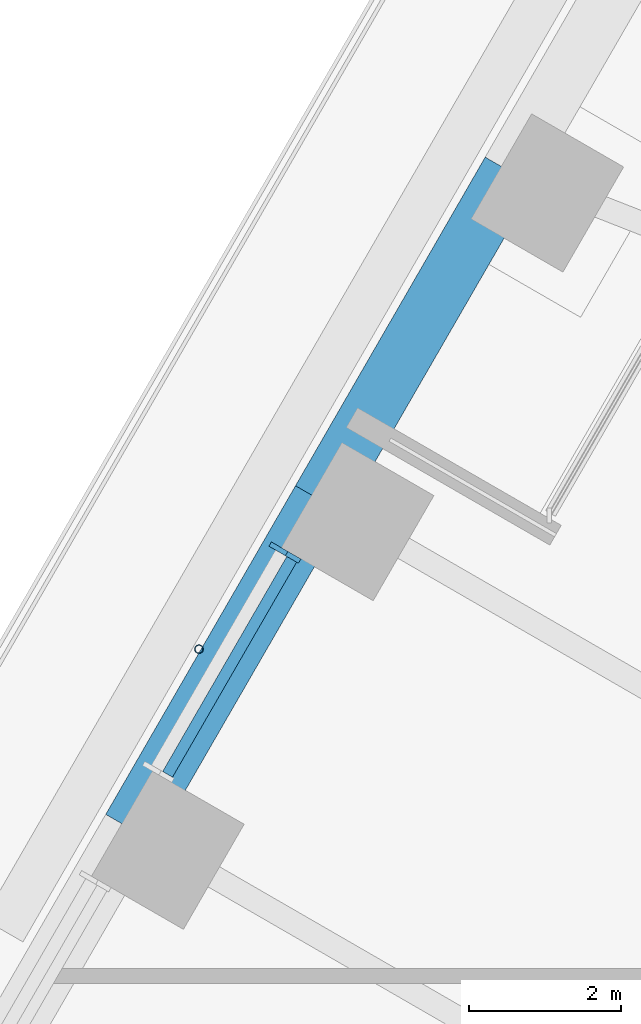
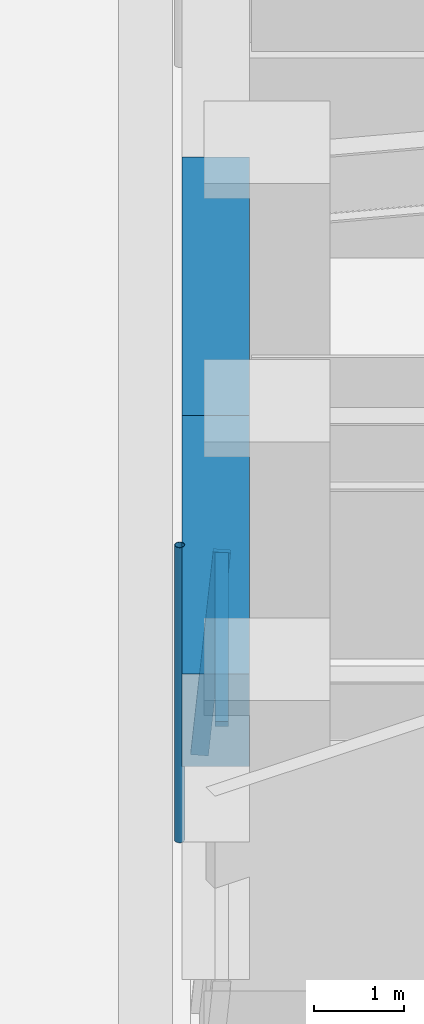
# One storey, part 7 of 24: 3 members, 2 beams, 1 element without a shape of its own.
"""IFC4 building model written with IfcOpenShell, lengths in metres."""

from ifc_helpers import new_model, si_unit, direction, frame, origin, origin_2d, place, context, subcontext, project, spatial, rectangle, hollow_circle, extrude, material, material_profile, profile_set, type_object, element, aggregate, save


model = new_model("IFC4")

# Units and contexts
model_context = context("Model", 3, precision=1e-05, world=origin(), true_north=direction((0.0, 1.0)))
body_context = subcontext(model_context, "Body", "Model", "MODEL_VIEW")
ifc_project = project(units=[si_unit("LENGTHUNIT", "METRE"), si_unit("AREAUNIT", "SQUARE_METRE"), si_unit("VOLUMEUNIT", "CUBIC_METRE"), si_unit("PLANEANGLEUNIT", "RADIAN"), si_unit("MASSUNIT", "GRAM", prefix="KILO")], contexts=[model_context])

# Site, building, storey
site_placement = place(None, origin())
site = spatial("IfcSite", under=ifc_project, at=site_placement, CompositionType="ELEMENT")
building_placement = place(site_placement, origin())
building = spatial("IfcBuilding", under=site, at=building_placement, Name="Tarfa Lantern Tower", CompositionType="ELEMENT")
storey_placement = place(building_placement, frame((0.0, 0.0, 161.5)))
storey = spatial("IfcBuildingStorey", under=building, at=storey_placement, Name="L36", CompositionType="ELEMENT", Elevation=161.5)

# Curtain wall, members
ifc_material_1 = material(Name="Aluminium framed curtain wall", Category="aluminium")
curtain_wall_type = type_object("IfcCurtainWallType", Name="CW2 CANTED GLAZING MID ZONE 2750", PredefinedType="USERDEFINED", material=ifc_material_1)
curtain_wall_placement = place(storey_placement, origin())
curtain_wall = element("IfcCurtainWall", 1, at=curtain_wall_placement, inside=storey, type_object=curtain_wall_type, Name="CW2 NWB L36", ObjectType="CURTAIN WALL", PredefinedType="USERDEFINED")
ifc_material_2 = material(Name="Aluminium mullion", Category="aluminium")
ifc_material_profile_1 = material_profile(ifc_material_2, rectangle(XDim=0.06494140625, YDim=0.199951171875, at=origin_2d()), Name="AL MULLION 65x200")
ifc_profile_set_1 = profile_set([ifc_material_profile_1], Name="Aluminium mullion")
member_type_1 = type_object("IfcMemberType", Name="CWM1 MULLION 65x200", PredefinedType="MULLION", material=ifc_profile_set_1)
member_1_placement = place(storey_placement, frame((-30.111328125, 10.645751953125, 0.0), z_axis=(0.078422950161, -0.045267813396, 0.995891894715), x_axis=(0.499919672301, 0.866071776036, 0.0)))
member_1 = element("IfcMember", 2, at=member_1_placement, type_object=member_type_1, Name="CW2 mullion 1", PredefinedType="MULLION", context=body_context, shape_type="SweptSolid", body=[
    extrude(rectangle(XDim=0.06494140625, YDim=0.199951171875, at=origin_2d()), origin(), (0.0, 0.0, 1.0), 2.76123046875),
])
ifc_material_3 = material(Name="Aluminium transom", Category="aluminium")
ifc_material_profile_2 = material_profile(ifc_material_3, rectangle(XDim=0.14990234375, YDim=0.06494140625, at=origin_2d()), Name="AL TRANSOM 150x65")
ifc_profile_set_2 = profile_set([ifc_material_profile_2], Name="Aluminium transom")
member_type_2 = type_object("IfcMemberType", Name="CWT1 TRANSOM 150x65", PredefinedType="USERDEFINED", material=ifc_profile_set_2)
member_2_placement = place(storey_placement, frame((-29.91357421875, 10.494140625, 2.717529296875), z_axis=(-0.500012937857, -0.86601793398, 0.0), x_axis=(0.86601793398, -0.500012937857, 0.0)))
member_2 = element("IfcMember", 3, at=member_2_placement, type_object=member_type_2, Name="CW2 transom 1.2", ObjectType="TRANSOM", PredefinedType="USERDEFINED", context=body_context, shape_type="SweptSolid", body=[
    extrude(rectangle(XDim=0.14990234375, YDim=0.06494140625, at=origin_2d()), origin(), (0.0, 0.0, 1.0), 3.27392578125),
])
aggregate(curtain_wall, [member_1, member_2])

# Beams
ifc_material_4 = material(Name="Concrete C80/95", Category="concrete")
ifc_material_profile_3 = material_profile(ifc_material_4, rectangle(XDim=0.75, YDim=1.25, at=origin_2d()), Name="RC 750x1250")
ifc_profile_set_3 = profile_set([ifc_material_profile_3], Name="Concrete C80/95")
beam_type = type_object("IfcBeamType", Name="EB2 RC 750x1250", PredefinedType="SPANDREL", material=ifc_profile_set_3)
for number, where, z_axis, x_axis, name in (
    (4, (-27.037353515625, 15.610107421875, 3.375), (-0.499964603504, -0.866045838996, 0.0), (0.866045838996, -0.499964603504, 0.0), "Edge beam NW3"),
    (5, (-29.5390625, 11.276611328125, 3.375), (-0.500022324899, -0.866012514114, 0.0), (0.866012514114, -0.500022324899, 0.0), "Edge beam NW4"),
):
    element("IfcBeam", number, at=place(storey_placement, frame(where, z_axis=z_axis, x_axis=x_axis)), inside=storey, type_object=beam_type, Name=name, PredefinedType="SPANDREL", context=body_context, shape_type="SweptSolid", body=[
        extrude(rectangle(XDim=0.75, YDim=1.25, at=origin_2d()), origin(), (0.0, 0.0, 1.0), 5.003662109375),
    ])

# Member
ifc_material_5 = material(Name="Steel S355", Category="steel")
ifc_material_profile_4 = material_profile(ifc_material_5, hollow_circle(Radius=0.05712890625, WallThickness=0.00634765625, at=origin_2d()), Name="CHS114.3x6.3")
ifc_profile_set_4 = profile_set([ifc_material_profile_4], Name="Steel S355")
member_type_3 = type_object("IfcMemberType", Name="TR1 GREEN WALL TRELLIS CHS114.3x6.3", PredefinedType="USERDEFINED", material=ifc_profile_set_4)
member_3_placement = place(storey_placement, frame((-31.136474609375, 9.31005859375, 0.0), z_axis=(0.0, 0.0, 1.0), x_axis=(1.0, 0.0, 0.0)))
element("IfcMember", 6, at=member_3_placement, inside=storey, type_object=member_type_3, Name="Trellis post NW 2", ObjectType="TRELLIS", PredefinedType="USERDEFINED", context=body_context, shape_type="SweptSolid", body=[
    extrude(hollow_circle(Radius=0.05712890625, WallThickness=0.00634765625, at=origin_2d()), origin(), (0.0, 0.0, 1.0), 4.0),
])

save(model, "model.ifc")
